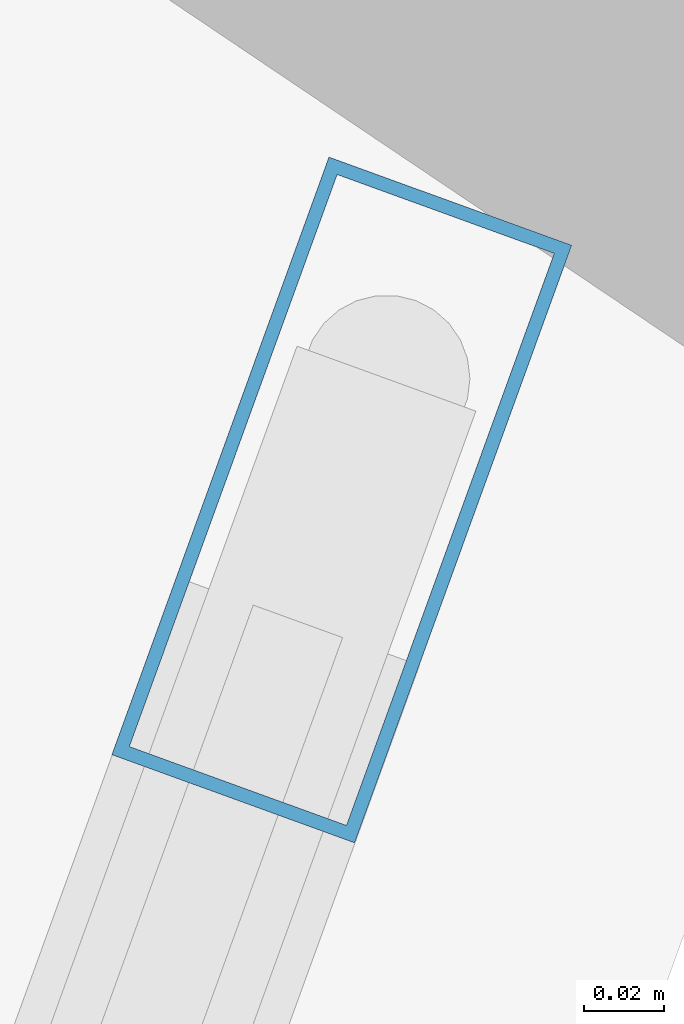
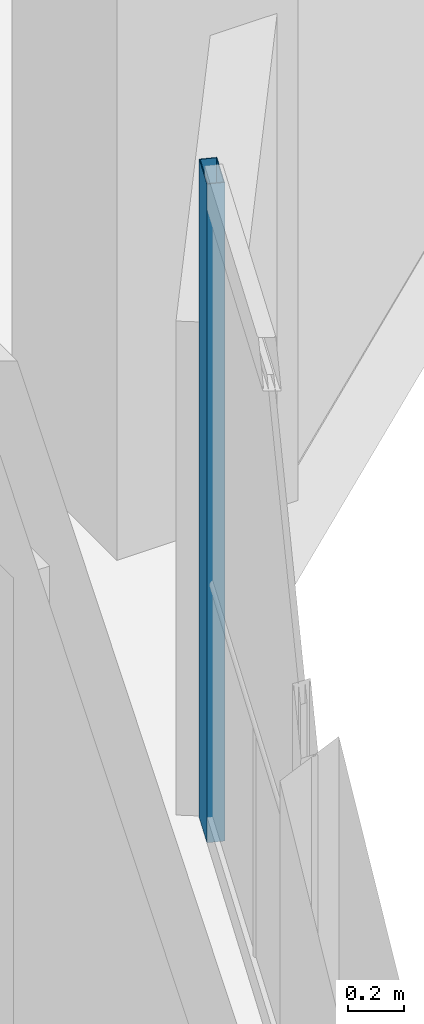
# One storey, part 8 of 20: 1 member, 1 element without a shape of its own.
"""IFC4 building model written with IfcOpenShell, lengths in metres."""

from ifc_helpers import new_model, si_unit, direction, frame, origin, origin_2d, place, context, subcontext, project, spatial, hollow_rectangle, extrude, material, layer, layer_set, material_profile, profile_set, type_object, element, aggregate, save


model = new_model("IFC4")

# Units and contexts
model_context = context("Model", 3, precision=1e-05, world=origin(), true_north=direction((0.0, 1.0)))
body_context = subcontext(model_context, "Body", "Model", "MODEL_VIEW")
ifc_project = project(units=[si_unit("LENGTHUNIT", "METRE"), si_unit("AREAUNIT", "SQUARE_METRE"), si_unit("VOLUMEUNIT", "CUBIC_METRE"), si_unit("PLANEANGLEUNIT", "RADIAN"), si_unit("MASSUNIT", "GRAM", prefix="KILO")], contexts=[model_context])

# Site, building, storey
site_placement = place(None, origin())
site = spatial("IfcSite", under=ifc_project, at=site_placement, CompositionType="ELEMENT")
building_placement = place(site_placement, origin())
building = spatial("IfcBuilding", under=site, at=building_placement, Name="Solvane Sanctuary Tower", CompositionType="ELEMENT")
storey_placement = place(building_placement, frame((0.0, 0.0, 137.39990234375)))
storey = spatial("IfcBuildingStorey", under=building, at=storey_placement, Name="L41", CompositionType="ELEMENT", Elevation=137.39990234375)

# Curtain wall, member
ifc_material = material(Name="Anodised Aluminium 6063-T6", Category="aluminium")
ifc_layer = layer(ifc_material, 0.199951171875, Name="Anodised Aluminium 6063-T6")
ifc_layer_set = layer_set([ifc_layer], Name="Anodised Aluminium 6063-T6")
curtain_wall_type = type_object("IfcCurtainWallType", Name="Curtain Wall CW-WELL", PredefinedType="NOTDEFINED", material=ifc_layer_set)
curtain_wall_placement = place(storey_placement, origin())
curtain_wall = element("IfcCurtainWall", 1, at=curtain_wall_placement, inside=storey, type_object=curtain_wall_type, Name="L41 Light-Well Glazed Curtain Wall 10", PredefinedType="NOTDEFINED")
ifc_material_profile = material_profile(ifc_material, hollow_rectangle(XDim=0.06494140625, YDim=0.159912109375, WallThickness=0.00341796875, at=origin_2d()), Name="ALU160X65X3.5")
ifc_profile_set = profile_set([ifc_material_profile], Name="Anodised Aluminium 6063-T6")
member_type = type_object("IfcMemberType", Name="Member M-CW-MUL-2 ALU160X65X3.5", PredefinedType="MULLION", material=ifc_profile_set)
member_placement = place(storey_placement, frame((25.8056640625, 26.982421875, 0.0), z_axis=(0.0, 0.0, 1.0), x_axis=(0.939933181429, -0.341358483781, 0.0)))
member = element("IfcMember", 2, at=member_placement, type_object=member_type, Name="CW-WELL mullion 1", PredefinedType="MULLION", context=body_context, shape_type="SweptSolid", body=[
    extrude(hollow_rectangle(XDim=0.06494140625, YDim=0.159912109375, WallThickness=0.00341796875, at=origin_2d()), origin(), (0.0, 0.0, 1.0), 2.880126953125),
])
aggregate(curtain_wall, [member])

save(model, "model.ifc")
